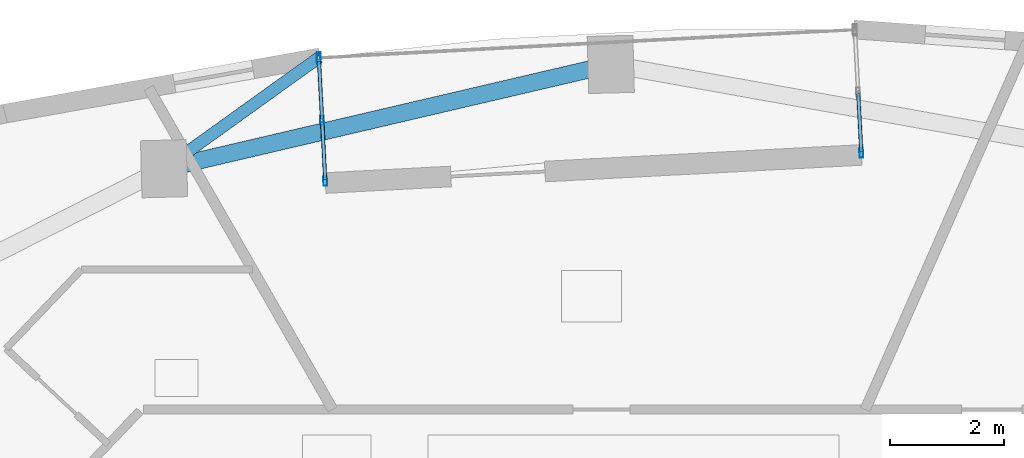
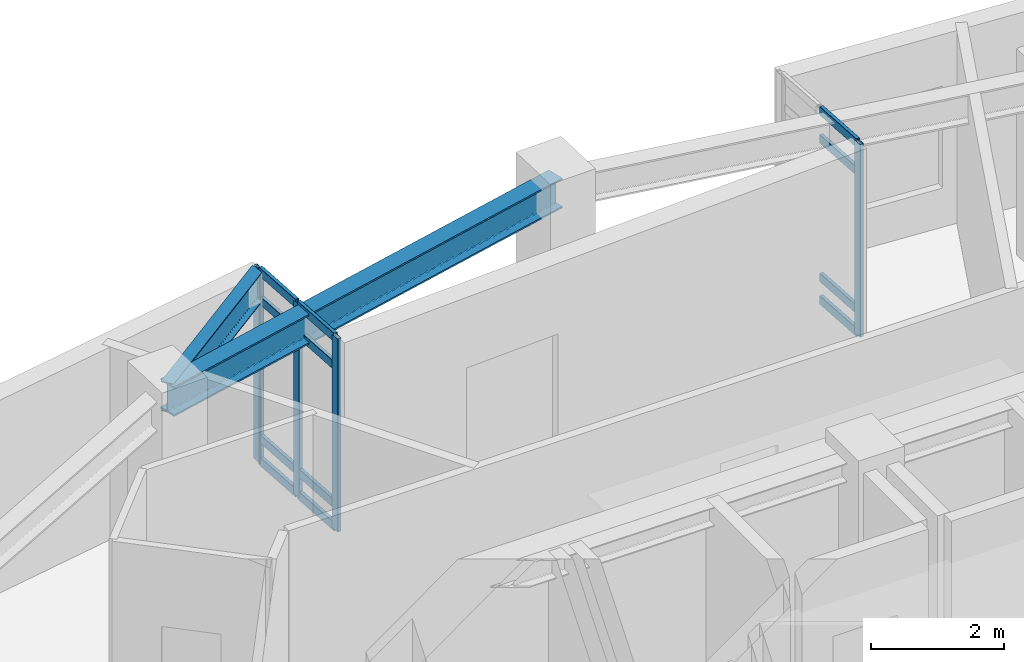
# One storey, part 2 of 11: 17 members, 2 beams, 2 elements without a shape of their own.
"""IFC4 building model written with IfcOpenShell, lengths in metres."""

from ifc_helpers import new_model, si_unit, direction, frame, origin, origin_2d, place, context, subcontext, project, spatial, hollow_rectangle, i_section, extrude, material, layer, layer_set, material_profile, profile_set, type_object, element, aggregate, save


model = new_model("IFC4")

# Units and contexts
model_context = context("Model", 3, precision=1e-05, world=origin(), true_north=direction((0.0, 1.0)))
body_context = subcontext(model_context, "Body", "Model", "MODEL_VIEW")
ifc_project = project(units=[si_unit("LENGTHUNIT", "METRE"), si_unit("AREAUNIT", "SQUARE_METRE"), si_unit("VOLUMEUNIT", "CUBIC_METRE"), si_unit("PLANEANGLEUNIT", "RADIAN"), si_unit("MASSUNIT", "GRAM", prefix="KILO")], contexts=[model_context])

# Site, building, storey
site_placement = place(None, origin())
site = spatial("IfcSite", under=ifc_project, at=site_placement, CompositionType="ELEMENT")
building_placement = place(site_placement, origin())
building = spatial("IfcBuilding", under=site, at=building_placement, Name="Ndelora Gate Hotel", CompositionType="ELEMENT")
storey_placement = place(building_placement, frame((0.0, 0.0, 216.949951171875)))
storey = spatial("IfcBuildingStorey", under=building, at=storey_placement, Name="L54", CompositionType="ELEMENT", Elevation=216.949951171875)

# Beams
ifc_material_1 = material(Name="Steel S355", Category="steel")
ifc_material_profile_1 = material_profile(ifc_material_1, i_section(OverallWidth=0.2099609375, OverallDepth=0.550048828125, WebThickness=0.010986328125, FlangeThickness=0.01708984375, FilletRadius=0.02392578125, at=origin_2d()), Name="IPE 550")
ifc_profile_set_1 = profile_set([ifc_material_profile_1], Name="Steel S355")
beam_type_1 = type_object("IfcBeamType", Name="BM-RAD-550", PredefinedType="BEAM", material=ifc_profile_set_1)
beam_1_placement = place(storey_placement, frame((-8.2216796875, 13.41650390625, 3.275146484375), z_axis=(0.812262393931, 0.583292210993, 0.0), x_axis=(-0.583292210993, 0.812262393931, 0.0)))
element("IfcBeam", 1, at=beam_1_placement, inside=storey, type_object=beam_type_1, Name="L54 Sky-Garden Loggia Column Bracket 3", PredefinedType="BEAM", context=body_context, shape_type="SweptSolid", body=[
    extrude(i_section(OverallWidth=0.2099609375, OverallDepth=0.550048828125, WebThickness=0.010986328125, FlangeThickness=0.01708984375, FilletRadius=0.02392578125, at=origin_2d()), origin(), (0.0, 0.0, 1.0), 3.33642578125),
])
ifc_material_profile_2 = material_profile(ifc_material_1, i_section(OverallWidth=0.300048828125, OverallDepth=0.550048828125, WebThickness=0.014892578125, FlangeThickness=0.029052734375, FilletRadius=0.027099609375, at=origin_2d()), Name="HEB 550")
ifc_profile_set_2 = profile_set([ifc_material_profile_2], Name="Steel S355")
beam_type_2 = type_object("IfcBeamType", Name="BM-RING-550", PredefinedType="SPANDREL", material=ifc_profile_set_2)
beam_2_placement = place(storey_placement, frame((-0.399169921875, 15.242919921875, 3.275146484375), z_axis=(-0.973809142107, -0.227367004529, 0.0), x_axis=(0.227367004529, -0.973809142107, 0.0)))
element("IfcBeam", 2, at=beam_2_placement, inside=storey, type_object=beam_type_2, Name="L54 Perimeter Spandrel Girder 11", PredefinedType="SPANDREL", context=body_context, shape_type="SweptSolid", body=[
    extrude(i_section(OverallWidth=0.300048828125, OverallDepth=0.550048828125, WebThickness=0.014892578125, FlangeThickness=0.029052734375, FilletRadius=0.027099609375, at=origin_2d()), origin(), (0.0, 0.0, 1.0), 8.032958984375),
])

# Curtain wall, member
ifc_material_2 = material(Name="Bronze Anodised Unitised Aluminium and Low-E Glass", Category="aluminium")
ifc_layer = layer(ifc_material_2, 0.199951171875)
ifc_layer_set = layer_set([ifc_layer], Name="Bronze Anodised Unitised Aluminium and Low-E Glass")
curtain_wall_type = type_object("IfcCurtainWallType", Name="CW-SYS-3", PredefinedType="NOTDEFINED", material=ifc_layer_set)
curtain_wall_1_placement = place(storey_placement, origin())
curtain_wall_1 = element("IfcCurtainWall", 3, at=curtain_wall_1_placement, inside=storey, type_object=curtain_wall_type, Name="L54 Sky-Garden Loggia Side Curtain Wall CW3-1", PredefinedType="NOTDEFINED")
ifc_material_3 = material(Name="Bronze Anodised Aluminium 6063-T6", Category="aluminium")
ifc_material_profile_3 = material_profile(ifc_material_3, hollow_rectangle(XDim=0.06494140625, YDim=0.159912109375, WallThickness=0.00390625, InnerFilletRadius=0.00390625, OuterFilletRadius=0.008056640625, at=origin_2d()), Name="ALU 160x65x4")
ifc_profile_set_3 = profile_set([ifc_material_profile_3], Name="Bronze Anodised Aluminium 6063-T6")
member_type_1 = type_object("IfcMemberType", Name="MB-CW-MUL150", PredefinedType="MULLION", material=ifc_profile_set_3)
member_1_placement = place(storey_placement, frame((3.989013671875, 13.68994140625, -0.00390625), z_axis=(0.0, 0.0, 1.0), x_axis=(-0.998630482257, -0.052317873695, 0.0)))
member_1 = element("IfcMember", 4, at=member_1_placement, type_object=member_type_1, Name="CW3 mullion 1", PredefinedType="MULLION", context=body_context, shape_type="SweptSolid", body=[
    extrude(hollow_rectangle(XDim=0.06494140625, YDim=0.159912109375, WallThickness=0.00390625, InnerFilletRadius=0.00390625, OuterFilletRadius=0.008056640625, at=origin_2d()), origin(), (0.0, 0.0, 1.0), 3.557861328125),
])

# Curtain wall, members
curtain_wall_2_placement = place(storey_placement, origin())
curtain_wall_2 = element("IfcCurtainWall", 5, at=curtain_wall_2_placement, inside=storey, type_object=curtain_wall_type, Name="L54 Sky-Garden Loggia Side Curtain Wall CW3-2", PredefinedType="NOTDEFINED")
member_2_placement = place(storey_placement, frame((-5.510009765625, 15.330078125, -0.00390625), z_axis=(0.0, 0.0, 1.0), x_axis=(0.998628106419, 0.052363203389, 0.0)))
member_2 = element("IfcMember", 6, at=member_2_placement, type_object=member_type_1, Name="CW3 mullion 1", PredefinedType="MULLION", context=body_context, shape_type="SweptSolid", body=[
    extrude(hollow_rectangle(XDim=0.06494140625, YDim=0.159912109375, WallThickness=0.00390625, InnerFilletRadius=0.00390625, OuterFilletRadius=0.008056640625, at=origin_2d()), origin(), (0.0, 0.0, 1.0), 3.557861328125),
])
member_3_placement = place(storey_placement, frame((-5.4541015625, 14.263916015625, -0.00390625), z_axis=(0.0, 0.0, 1.0), x_axis=(0.998628106419, 0.052363203389, 0.0)))
member_3 = element("IfcMember", 7, at=member_3_placement, type_object=member_type_1, Name="CW3 mullion 2", PredefinedType="MULLION", context=body_context, shape_type="SweptSolid", body=[
    extrude(hollow_rectangle(XDim=0.06494140625, YDim=0.159912109375, WallThickness=0.00390625, InnerFilletRadius=0.00390625, OuterFilletRadius=0.008056640625, at=origin_2d()), origin(), (0.0, 0.0, 1.0), 3.557861328125),
])
member_4_placement = place(storey_placement, frame((-5.398193359375, 13.197998046875, -0.00390625), z_axis=(0.0, 0.0, 1.0), x_axis=(0.998628106419, 0.052363203389, 0.0)))
member_4 = element("IfcMember", 8, at=member_4_placement, type_object=member_type_1, Name="CW3 mullion 3", PredefinedType="MULLION", context=body_context, shape_type="SweptSolid", body=[
    extrude(hollow_rectangle(XDim=0.06494140625, YDim=0.159912109375, WallThickness=0.00390625, InnerFilletRadius=0.00390625, OuterFilletRadius=0.008056640625, at=origin_2d()), origin(), (0.0, 0.0, 1.0), 3.557861328125),
])
ifc_material_profile_4 = material_profile(ifc_material_3, hollow_rectangle(XDim=0.070068359375, YDim=0.179931640625, WallThickness=0.0048828125, InnerFilletRadius=0.0048828125, OuterFilletRadius=0.010009765625, at=origin_2d()), Name="ALU 180x70x5")
ifc_profile_set_4 = profile_set([ifc_material_profile_4], Name="Bronze Anodised Aluminium 6063-T6")
member_type_2 = type_object("IfcMemberType", Name="MB-CW-MUL180", PredefinedType="MULLION", material=ifc_profile_set_4)
member_5_placement = place(storey_placement, frame((-5.51171875, 15.362548828125, 0.0), z_axis=(0.0, 0.0, 1.0), x_axis=(1.0, 0.0, 0.0)))
member_5 = element("IfcMember", 9, at=member_5_placement, type_object=member_type_2, Name="L54 Sky-Garden Loggia Corner Mullion Post 2", PredefinedType="MULLION", context=body_context, shape_type="SweptSolid", body=[
    extrude(hollow_rectangle(XDim=0.070068359375, YDim=0.179931640625, WallThickness=0.0048828125, InnerFilletRadius=0.0048828125, OuterFilletRadius=0.010009765625, at=origin_2d()), origin(), (0.0, 0.0, 1.0), 3.550048828125),
])

# Member
ifc_material_profile_5 = material_profile(ifc_material_3, hollow_rectangle(XDim=0.06494140625, YDim=0.159912109375, WallThickness=0.00390625, InnerFilletRadius=0.00390625, OuterFilletRadius=0.008056640625, at=origin_2d()), Name="ALU 160x65x4")
ifc_profile_set_5 = profile_set([ifc_material_profile_5], Name="Bronze Anodised Aluminium 6063-T6")
member_type_3 = type_object("IfcMemberType", Name="MB-CW-TRN150", PredefinedType="USERDEFINED", material=ifc_profile_set_5)
member_6_placement = place(storey_placement, frame((3.987548828125, 13.71630859375, 0.032470703125), z_axis=(-0.052217819525, 0.998635719031, 0.0), x_axis=(-0.998635719031, -0.052217819525, 0.0)))
member_6 = element("IfcMember", 10, at=member_6_placement, type_object=member_type_3, Name="CW3 transom 1.1", ObjectType="TRANSOM", PredefinedType="USERDEFINED", context=body_context, shape_type="SweptSolid", body=[
    extrude(hollow_rectangle(XDim=0.06494140625, YDim=0.159912109375, WallThickness=0.00390625, InnerFilletRadius=0.00390625, OuterFilletRadius=0.008056640625, at=origin_2d()), origin(), (0.0, 0.0, 1.0), 1.0146484375),
])

member_7_placement = place(storey_placement, frame((3.987548828125, 13.71630859375, 0.449951171875), z_axis=(-0.052217819525, 0.998635719031, 0.0), x_axis=(-0.998635719031, -0.052217819525, 0.0)))
member_7 = element("IfcMember", 11, at=member_7_placement, type_object=member_type_3, Name="CW3 transom 1.2", ObjectType="TRANSOM", PredefinedType="USERDEFINED", context=body_context, shape_type="SweptSolid", body=[
    extrude(hollow_rectangle(XDim=0.06494140625, YDim=0.159912109375, WallThickness=0.00390625, InnerFilletRadius=0.00390625, OuterFilletRadius=0.008056640625, at=origin_2d()), origin(), (0.0, 0.0, 1.0), 1.0146484375),
])

member_8_placement = place(storey_placement, frame((3.987548828125, 13.71630859375, 3.0), z_axis=(-0.052217819525, 0.998635719031, 0.0), x_axis=(-0.998635719031, -0.052217819525, 0.0)))
member_8 = element("IfcMember", 12, at=member_8_placement, type_object=member_type_3, Name="CW3 transom 1.3", ObjectType="TRANSOM", PredefinedType="USERDEFINED", context=body_context, shape_type="SweptSolid", body=[
    extrude(hollow_rectangle(XDim=0.06494140625, YDim=0.159912109375, WallThickness=0.00390625, InnerFilletRadius=0.00390625, OuterFilletRadius=0.008056640625, at=origin_2d()), origin(), (0.0, 0.0, 1.0), 1.0146484375),
])

member_9_placement = place(storey_placement, frame((3.987548828125, 13.71630859375, 3.517578125), z_axis=(-0.052217819525, 0.998635719031, 0.0), x_axis=(-0.998635719031, -0.052217819525, 0.0)))
member_9 = element("IfcMember", 13, at=member_9_placement, type_object=member_type_3, Name="CW3 transom 1.4", ObjectType="TRANSOM", PredefinedType="USERDEFINED", context=body_context, shape_type="SweptSolid", body=[
    extrude(hollow_rectangle(XDim=0.06494140625, YDim=0.159912109375, WallThickness=0.00390625, InnerFilletRadius=0.00390625, OuterFilletRadius=0.008056640625, at=origin_2d()), origin(), (0.0, 0.0, 1.0), 1.0146484375),
])

aggregate(curtain_wall_1, [member_1, member_6, member_7, member_8, member_9])

member_10_placement = place(storey_placement, frame((-5.508544921875, 15.303466796875, 0.032470703125), z_axis=(0.052470402642, -0.998622479642, 0.0), x_axis=(0.998622479642, 0.052470402642, 0.0)))
member_10 = element("IfcMember", 14, at=member_10_placement, type_object=member_type_3, Name="CW3 transom 1.1", ObjectType="TRANSOM", PredefinedType="USERDEFINED", context=body_context, shape_type="SweptSolid", body=[
    extrude(hollow_rectangle(XDim=0.06494140625, YDim=0.159912109375, WallThickness=0.00390625, InnerFilletRadius=0.00390625, OuterFilletRadius=0.008056640625, at=origin_2d()), origin(), (0.0, 0.0, 1.0), 1.014404296875),
])

member_11_placement = place(storey_placement, frame((-5.508544921875, 15.303466796875, 0.449951171875), z_axis=(0.052470402642, -0.998622479642, 0.0), x_axis=(0.998622479642, 0.052470402642, 0.0)))
member_11 = element("IfcMember", 15, at=member_11_placement, type_object=member_type_3, Name="CW3 transom 1.2", ObjectType="TRANSOM", PredefinedType="USERDEFINED", context=body_context, shape_type="SweptSolid", body=[
    extrude(hollow_rectangle(XDim=0.06494140625, YDim=0.159912109375, WallThickness=0.00390625, InnerFilletRadius=0.00390625, OuterFilletRadius=0.008056640625, at=origin_2d()), origin(), (0.0, 0.0, 1.0), 1.014404296875),
])

member_12_placement = place(storey_placement, frame((-5.508544921875, 15.303466796875, 3.0), z_axis=(0.052470402642, -0.998622479642, 0.0), x_axis=(0.998622479642, 0.052470402642, 0.0)))
member_12 = element("IfcMember", 16, at=member_12_placement, type_object=member_type_3, Name="CW3 transom 1.3", ObjectType="TRANSOM", PredefinedType="USERDEFINED", context=body_context, shape_type="SweptSolid", body=[
    extrude(hollow_rectangle(XDim=0.06494140625, YDim=0.159912109375, WallThickness=0.00390625, InnerFilletRadius=0.00390625, OuterFilletRadius=0.008056640625, at=origin_2d()), origin(), (0.0, 0.0, 1.0), 1.014404296875),
])

member_13_placement = place(storey_placement, frame((-5.508544921875, 15.303466796875, 3.517578125), z_axis=(0.052470402642, -0.998622479642, 0.0), x_axis=(0.998622479642, 0.052470402642, 0.0)))
member_13 = element("IfcMember", 17, at=member_13_placement, type_object=member_type_3, Name="CW3 transom 1.4", ObjectType="TRANSOM", PredefinedType="USERDEFINED", context=body_context, shape_type="SweptSolid", body=[
    extrude(hollow_rectangle(XDim=0.06494140625, YDim=0.159912109375, WallThickness=0.00390625, InnerFilletRadius=0.00390625, OuterFilletRadius=0.008056640625, at=origin_2d()), origin(), (0.0, 0.0, 1.0), 1.014404296875),
])

member_14_placement = place(storey_placement, frame((-5.45263671875, 14.237548828125, 0.032470703125), z_axis=(0.052457793968, -0.998623142057, 0.0), x_axis=(0.998623142057, 0.052457793968, 0.0)))
member_14 = element("IfcMember", 18, at=member_14_placement, type_object=member_type_3, Name="CW3 transom 2.1", ObjectType="TRANSOM", PredefinedType="USERDEFINED", context=body_context, shape_type="SweptSolid", body=[
    extrude(hollow_rectangle(XDim=0.06494140625, YDim=0.159912109375, WallThickness=0.00390625, InnerFilletRadius=0.00390625, OuterFilletRadius=0.008056640625, at=origin_2d()), origin(), (0.0, 0.0, 1.0), 1.0146484375),
])

member_15_placement = place(storey_placement, frame((-5.45263671875, 14.237548828125, 0.449951171875), z_axis=(0.052457793968, -0.998623142057, 0.0), x_axis=(0.998623142057, 0.052457793968, 0.0)))
member_15 = element("IfcMember", 19, at=member_15_placement, type_object=member_type_3, Name="CW3 transom 2.2", ObjectType="TRANSOM", PredefinedType="USERDEFINED", context=body_context, shape_type="SweptSolid", body=[
    extrude(hollow_rectangle(XDim=0.06494140625, YDim=0.159912109375, WallThickness=0.00390625, InnerFilletRadius=0.00390625, OuterFilletRadius=0.008056640625, at=origin_2d()), origin(), (0.0, 0.0, 1.0), 1.0146484375),
])

member_16_placement = place(storey_placement, frame((-5.45263671875, 14.237548828125, 3.0), z_axis=(0.052457793968, -0.998623142057, 0.0), x_axis=(0.998623142057, 0.052457793968, 0.0)))
member_16 = element("IfcMember", 20, at=member_16_placement, type_object=member_type_3, Name="CW3 transom 2.3", ObjectType="TRANSOM", PredefinedType="USERDEFINED", context=body_context, shape_type="SweptSolid", body=[
    extrude(hollow_rectangle(XDim=0.06494140625, YDim=0.159912109375, WallThickness=0.00390625, InnerFilletRadius=0.00390625, OuterFilletRadius=0.008056640625, at=origin_2d()), origin(), (0.0, 0.0, 1.0), 1.0146484375),
])

member_17_placement = place(storey_placement, frame((-5.45263671875, 14.237548828125, 3.517578125), z_axis=(0.052457793968, -0.998623142057, 0.0), x_axis=(0.998623142057, 0.052457793968, 0.0)))
member_17 = element("IfcMember", 21, at=member_17_placement, type_object=member_type_3, Name="CW3 transom 2.4", ObjectType="TRANSOM", PredefinedType="USERDEFINED", context=body_context, shape_type="SweptSolid", body=[
    extrude(hollow_rectangle(XDim=0.06494140625, YDim=0.159912109375, WallThickness=0.00390625, InnerFilletRadius=0.00390625, OuterFilletRadius=0.008056640625, at=origin_2d()), origin(), (0.0, 0.0, 1.0), 1.0146484375),
])

aggregate(curtain_wall_2, [member_2, member_3, member_4, member_10, member_11, member_12, member_13, member_14, member_15, member_16, member_17, member_5])

save(model, "model.ifc")
